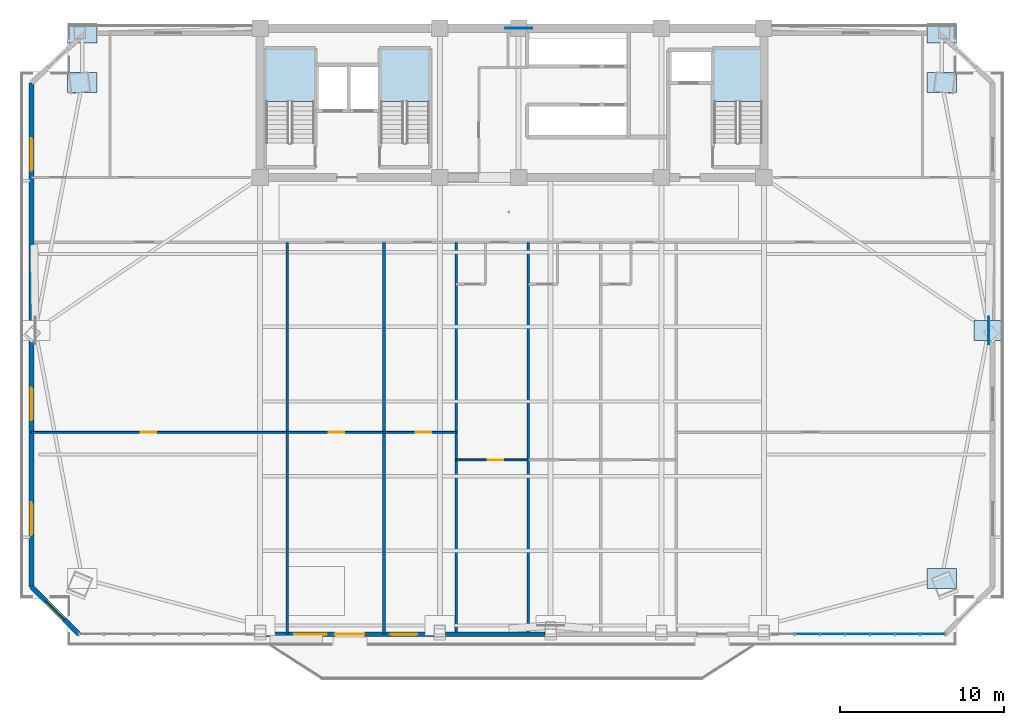
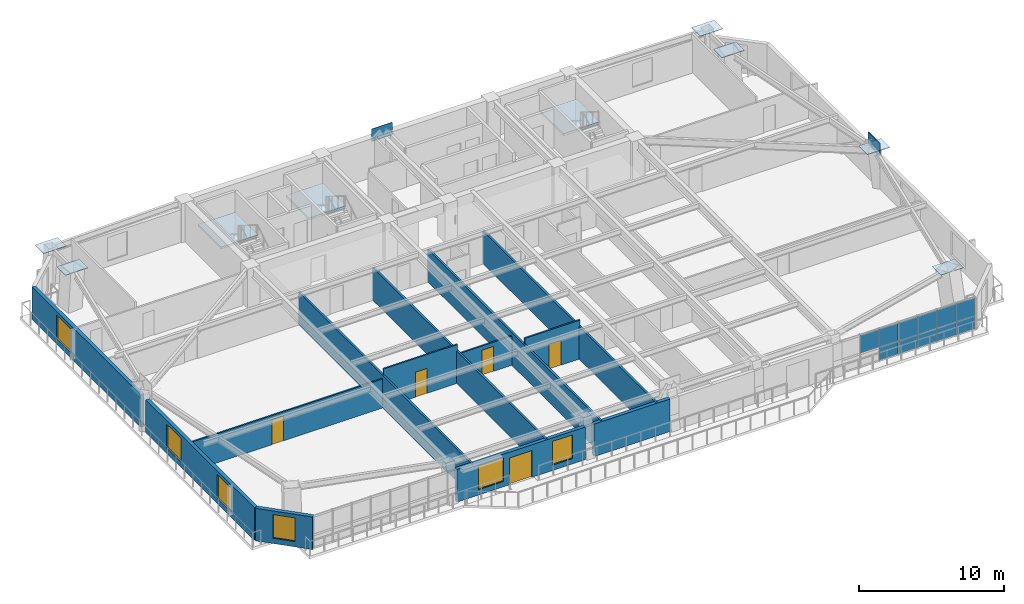
# One storey, part 7 of 15: 19 plates, 13 walls, 6 windows, 5 doors, 3 slabs, 11 openings, 4 elements without a shape of their own.
"""IFC4 building model written with IfcOpenShell, lengths in metres."""

from ifc_helpers import new_model, si_unit, direction, frame, frame_2d, origin, origin_2d, place, context, subcontext, project, spatial, polyline, rectangle, outline, extrude, source, transform, mapped, material, layer, layer_set, type_object, element, fill, aggregate, save


model = new_model("IFC4")

# Units and contexts
model_context = context("Model", 3, precision=1e-05, world=origin(), true_north=direction((0.0, 1.0)))
body_context = subcontext(model_context, "Body", "Model", "MODEL_VIEW")
ifc_project = project(units=[si_unit("LENGTHUNIT", "METRE"), si_unit("AREAUNIT", "SQUARE_METRE"), si_unit("VOLUMEUNIT", "CUBIC_METRE"), si_unit("PLANEANGLEUNIT", "RADIAN"), si_unit("MASSUNIT", "GRAM", prefix="KILO")], contexts=[model_context])

# Site, building, storey
site_placement = place(None, origin())
site = spatial("IfcSite", under=ifc_project, at=site_placement, CompositionType="ELEMENT")
building_placement = place(site_placement, origin())
building = spatial("IfcBuilding", under=site, at=building_placement, Name="Giltprow Tower", CompositionType="ELEMENT")
storey_placement = place(building_placement, frame((0.0, 0.0, 177.199951171875)))
storey = spatial("IfcBuildingStorey", under=building, at=storey_placement, Name="L44", CompositionType="ELEMENT", Elevation=177.199951171875)

# Stair, slab
ifc_material_1 = material(Name="Concrete C40", Category="concrete")
stair_type_1 = type_object("IfcStairType", Name="STR-ST-1", PredefinedType="HALF_TURN_STAIR", material=ifc_material_1)
stair_1_placement = place(storey_placement, origin())
stair_1 = element("IfcStair", 1, at=stair_1_placement, inside=storey, type_object=stair_type_1, Name="L44 Core Exit Stair ST-1", PredefinedType="HALF_TURN_STAIR")
ifc_layer_1 = layer(ifc_material_1, 0.179931640625, Name="Concrete C40")
ifc_layer_set_1 = layer_set([ifc_layer_1], Name="Concrete C40")
slab_type_1 = type_object("IfcSlabType", Name="SLD-ST-1", PredefinedType="LANDING", material=ifc_layer_set_1)
slab_1_placement = place(storey_placement, frame((0.0, 0.0, 1.570068359375)))
slab_1 = element("IfcSlab", 2, at=slab_1_placement, type_object=slab_type_1, Name="ST-1 landing 1", PredefinedType="LANDING", context=body_context, shape_type="SweptSolid", body=[
    extrude(outline(polyline([(23.159912109375, 42.070068359375), (23.159912109375, 45.25), (20.199951171875, 45.25), (20.199951171875, 42.070068359375), (23.159912109375, 42.070068359375)])), origin(), (0.0, 0.0, 1.0), 0.179931640625),
])
aggregate(stair_1, [slab_1])

stair_type_2 = type_object("IfcStairType", Name="STR-ST-2", PredefinedType="HALF_TURN_STAIR", material=ifc_material_1)
stair_2_placement = place(storey_placement, origin())
stair_2 = element("IfcStair", 3, at=stair_2_placement, inside=storey, type_object=stair_type_2, Name="L44 Core Exit Stair ST-2", PredefinedType="HALF_TURN_STAIR")
ifc_layer_2 = layer(ifc_material_1, 0.18798828125, Name="Concrete C40")
ifc_layer_set_2 = layer_set([ifc_layer_2], Name="Concrete C40")
slab_type_2 = type_object("IfcSlabType", Name="SLD-ST-2", PredefinedType="LANDING", material=ifc_layer_set_2)
slab_2_placement = place(storey_placement, frame((0.0, 0.0, 1.56201171875)))
slab_2 = element("IfcSlab", 4, at=slab_2_placement, type_object=slab_type_2, Name="ST-2 landing 1", PredefinedType="LANDING", context=body_context, shape_type="SweptSolid", body=[
    extrude(outline(polyline([(30.159912109375, 42.070068359375), (30.159912109375, 45.25), (27.199951171875, 45.25), (27.199951171875, 42.070068359375), (30.159912109375, 42.070068359375)])), origin(), (0.0, 0.0, 1.0), 0.18798828125),
])
aggregate(stair_2, [slab_2])

stair_type_3 = type_object("IfcStairType", Name="STR-ST-3", PredefinedType="HALF_TURN_STAIR", material=ifc_material_1)
stair_3_placement = place(storey_placement, origin())
stair_3 = element("IfcStair", 5, at=stair_3_placement, inside=storey, type_object=stair_type_3, Name="L44 Core Exit Stair ST-3", PredefinedType="HALF_TURN_STAIR")
ifc_layer_3 = layer(ifc_material_1, 0.196044921875, Name="Concrete C40")
ifc_layer_set_3 = layer_set([ifc_layer_3], Name="Concrete C40")
slab_type_3 = type_object("IfcSlabType", Name="SLD-ST-3", PredefinedType="LANDING", material=ifc_layer_set_3)
slab_3_placement = place(storey_placement, frame((0.0, 0.0, 1.553955078125)))
slab_3 = element("IfcSlab", 6, at=slab_3_placement, type_object=slab_type_3, Name="ST-3 landing 1", PredefinedType="LANDING", context=body_context, shape_type="SweptSolid", body=[
    extrude(outline(polyline([(50.4599609375, 42.070068359375), (50.4599609375, 45.25), (47.5, 45.25), (47.5, 42.070068359375), (50.4599609375, 42.070068359375)])), origin(), (0.0, 0.0, 1.0), 0.196044921875),
])
aggregate(stair_3, [slab_3])

# Plates
ifc_material_2 = material(Name="Structural steel Q420GJC", Category="steel")
plate_type_1 = type_object("IfcPlateType", Name="PLT-NODE-CKN1", PredefinedType="USERDEFINED", material=ifc_material_2)
shared_shape_1 = source(origin(), body_context, "Body", "SweptSolid", [
    extrude(rectangle(XDim=1.800048828125, YDim=1.199951171875, at=origin_2d()), origin(), (0.0, 0.0, 1.0), 0.044921875),
])
for number, where, z_axis, x_axis, name in (
    (7, (61.385986328125, 13.014892578125, 3.2275390625), (0.0, 0.0, 1.0), (1.0, 0.0, 0.0), "CKN1 Column Taper Splice Node L44-MC_SE"),
    (8, (9.014892578125, 43.239013671875, 3.2275390625), (0.0, 0.0, 1.0), (1.0, 0.0, 0.0), "CKN1 Column Taper Splice Node L44-MC_NW"),
    (9, (61.385986328125, 43.239013671875, 3.2275390625), (0.0, 0.0, 1.0), (1.0, 0.0, 0.0), "CKN1 Column Taper Splice Node L44-MC_NE"),
    (10, (64.2470703125, 28.126953125, 3.2275390625), (0.0, 0.0, 1.0), (1.0, 0.0, 0.0), "CKN1 Column Taper Splice Node L44-E_MID"),
    (11, (9.014892578125, 46.25, 3.2275390625), (0.0, 0.0, 1.0), (1.0, 0.0, 0.0), "CKN1 Column Taper Splice Node L44-N_W"),
    (12, (61.385986328125, 46.25, 3.2275390625), (0.0, 0.0, 1.0), (1.0, 0.0, 0.0), "CKN1 Column Taper Splice Node L44-N_E"),
):
    element("IfcPlate", number, at=place(storey_placement, frame(where, z_axis=z_axis, x_axis=x_axis)), inside=storey, type_object=plate_type_1, Name=name, ObjectType="SPLICE", PredefinedType="USERDEFINED", context=body_context, shape_type="MappedRepresentation", body=[
        mapped(shared_shape_1, transform((0.0, 0.0, 0.0), x_axis=(1.0, 0.0, 0.0), y_axis=(0.0, 1.0, 0.0), z_axis=(0.0, 0.0, 1.0), scale=1.0)),
    ])
plate_type_2 = type_object("IfcPlateType", Name="PLT-NODE-MBN2", PredefinedType="USERDEFINED", material=ifc_material_2)
shared_shape_2 = source(origin(), body_context, "Body", "SweptSolid", [
    extrude(rectangle(XDim=1.64990234375, YDim=0.044921875, at=origin_2d()), origin(), (0.0, 0.0, 1.0), 1.050048828125),
])
for number, where, z_axis, x_axis, name in (
    (13, (35.60009765625, 46.550048828125, 2.8349609375), (0.0, 0.0, 1.0), (1.0, 0.0, 0.0), "Mega-Brace Node L44-N-LB"),
    (14, (64.2470703125, 28.126953125, 2.97509765625), (0.0, 0.0, 1.0), (0.0, 1.0, 0.0), "Mega-Brace Node L44-E-RB"),
):
    element("IfcPlate", number, at=place(storey_placement, frame(where, z_axis=z_axis, x_axis=x_axis)), inside=storey, type_object=plate_type_2, Name=name, ObjectType="GUSSET", PredefinedType="USERDEFINED", context=body_context, shape_type="MappedRepresentation", body=[
        mapped(shared_shape_2, transform((0.0, 0.0, 0.0), x_axis=(1.0, 0.0, 0.0), y_axis=(0.0, 1.0, 0.0), z_axis=(0.0, 0.0, 1.0), scale=1.0)),
    ])

# Curtain wall, plates
ifc_material_3 = material(Name="Anodized bronze", Category="metal")
ifc_layer_4 = layer(ifc_material_3, 0.179931640625, Name="Anodized bronze")
ifc_layer_set_4 = layer_set([ifc_layer_4], Name="Anodized bronze")
curtain_wall_type = type_object("IfcCurtainWallType", Name="CW-HTL-BRONZE", PredefinedType="NOTDEFINED", material=ifc_layer_set_4)
curtain_wall_placement = place(storey_placement, origin())
curtain_wall = element("IfcCurtainWall", 15, at=curtain_wall_placement, inside=storey, type_object=curtain_wall_type, Name="L44 South Recessed Curtain Wall 6", PredefinedType="NOTDEFINED")
ifc_material_4 = material(Name="Insulated glass", Category="glass")
plate_type_3 = type_object("IfcPlateType", Name="CW-PANEL-IGU-28", PredefinedType="CURTAIN_PANEL", material=ifc_material_4)
shared_shape_3 = source(origin(), body_context, "Body", "SweptSolid", [
    extrude(rectangle(XDim=1.498046875, YDim=0.028076171875, at=origin_2d()), origin(), (0.0, 0.0, 1.0), 1.0869140625),
])
plate_1_placement = place(storey_placement, frame((54.718994140625, 9.6259765625, 0.0546875), z_axis=(0.0, 0.0, 1.0), x_axis=(1.0, 0.0, 0.0)))
plate_1 = element("IfcPlate", 16, at=plate_1_placement, type_object=plate_type_3, Name="L44 South Recessed Curtain Wall 6 Glazing Panel 3-1", PredefinedType="CURTAIN_PANEL", context=body_context, shape_type="MappedRepresentation", body=[
    mapped(shared_shape_3, transform((0.0, 0.0, 0.0), x_axis=(1.0, 0.0, 0.0), y_axis=(0.0, 1.0, 0.0), z_axis=(0.0, 0.0, 1.0), scale=1.0)),
])
plate_2_placement = place(storey_placement, frame((56.2470703125, 9.6259765625, 0.0546875), z_axis=(0.0, 0.0, 1.0), x_axis=(1.0, 0.0, 0.0)))
plate_2 = element("IfcPlate", 17, at=plate_2_placement, type_object=plate_type_3, Name="L44 South Recessed Curtain Wall 6 Glazing Panel 4-1", PredefinedType="CURTAIN_PANEL", context=body_context, shape_type="MappedRepresentation", body=[
    mapped(shared_shape_3, transform((0.0, 0.0, 0.0), x_axis=(1.0, 0.0, 0.0), y_axis=(0.0, 1.0, 0.0), z_axis=(0.0, 0.0, 1.0), scale=1.0)),
])
plate_3_placement = place(storey_placement, frame((57.77490234375, 9.6259765625, 0.0546875), z_axis=(0.0, 0.0, 1.0), x_axis=(1.0, 0.0, 0.0)))
plate_3 = element("IfcPlate", 18, at=plate_3_placement, type_object=plate_type_3, Name="L44 South Recessed Curtain Wall 6 Glazing Panel 5-1", PredefinedType="CURTAIN_PANEL", context=body_context, shape_type="MappedRepresentation", body=[
    mapped(shared_shape_3, transform((0.0, 0.0, 0.0), x_axis=(1.0, 0.0, 0.0), y_axis=(0.0, 1.0, 0.0), z_axis=(0.0, 0.0, 1.0), scale=1.0)),
])
plate_4_placement = place(storey_placement, frame((59.302001953125, 9.6259765625, 0.0546875), z_axis=(0.0, 0.0, 1.0), x_axis=(1.0, 0.0, 0.0)))
plate_4 = element("IfcPlate", 19, at=plate_4_placement, type_object=plate_type_3, Name="L44 South Recessed Curtain Wall 6 Glazing Panel 6-1", PredefinedType="CURTAIN_PANEL", context=body_context, shape_type="MappedRepresentation", body=[
    mapped(shared_shape_3, transform((0.0, 0.0, 0.0), x_axis=(1.0, 0.0, 0.0), y_axis=(0.0, 1.0, 0.0), z_axis=(0.0, 0.0, 1.0), scale=1.0)),
])
plate_5_placement = place(storey_placement, frame((60.830078125, 9.6259765625, 0.0546875), z_axis=(0.0, 0.0, 1.0), x_axis=(1.0, 0.0, 0.0)))
plate_5 = element("IfcPlate", 20, at=plate_5_placement, type_object=plate_type_3, Name="L44 South Recessed Curtain Wall 6 Glazing Panel 7-1", PredefinedType="CURTAIN_PANEL", context=body_context, shape_type="MappedRepresentation", body=[
    mapped(shared_shape_3, transform((0.0, 0.0, 0.0), x_axis=(1.0, 0.0, 0.0), y_axis=(0.0, 1.0, 0.0), z_axis=(0.0, 0.0, 1.0), scale=1.0)),
])
shared_shape_4 = source(origin(), body_context, "Body", "SweptSolid", [
    extrude(rectangle(XDim=1.498046875, YDim=0.028076171875, at=origin_2d()), origin(), (0.0, 0.0, 1.0), 1.527099609375),
])
plate_6_placement = place(storey_placement, frame((53.19189453125, 9.6259765625, 1.16845703125), z_axis=(0.0, 0.0, 1.0), x_axis=(1.0, 0.0, 0.0)))
plate_6 = element("IfcPlate", 21, at=plate_6_placement, type_object=plate_type_3, Name="L44 South Recessed Curtain Wall 6 Glazing Panel 2-2", PredefinedType="CURTAIN_PANEL", context=body_context, shape_type="MappedRepresentation", body=[
    mapped(shared_shape_4, transform((0.0, 0.0, 0.0), x_axis=(1.0, 0.0, 0.0), y_axis=(0.0, 1.0, 0.0), z_axis=(0.0, 0.0, 1.0), scale=1.0)),
])
plate_7_placement = place(storey_placement, frame((54.718994140625, 9.6259765625, 1.16845703125), z_axis=(0.0, 0.0, 1.0), x_axis=(1.0, 0.0, 0.0)))
plate_7 = element("IfcPlate", 22, at=plate_7_placement, type_object=plate_type_3, Name="L44 South Recessed Curtain Wall 6 Glazing Panel 3-2", PredefinedType="CURTAIN_PANEL", context=body_context, shape_type="MappedRepresentation", body=[
    mapped(shared_shape_4, transform((0.0, 0.0, 0.0), x_axis=(1.0, 0.0, 0.0), y_axis=(0.0, 1.0, 0.0), z_axis=(0.0, 0.0, 1.0), scale=1.0)),
])
plate_8_placement = place(storey_placement, frame((56.2470703125, 9.6259765625, 1.16845703125), z_axis=(0.0, 0.0, 1.0), x_axis=(1.0, 0.0, 0.0)))
plate_8 = element("IfcPlate", 23, at=plate_8_placement, type_object=plate_type_3, Name="L44 South Recessed Curtain Wall 6 Glazing Panel 4-2", PredefinedType="CURTAIN_PANEL", context=body_context, shape_type="MappedRepresentation", body=[
    mapped(shared_shape_4, transform((0.0, 0.0, 0.0), x_axis=(1.0, 0.0, 0.0), y_axis=(0.0, 1.0, 0.0), z_axis=(0.0, 0.0, 1.0), scale=1.0)),
])
plate_9_placement = place(storey_placement, frame((57.77490234375, 9.6259765625, 1.16845703125), z_axis=(0.0, 0.0, 1.0), x_axis=(1.0, 0.0, 0.0)))
plate_9 = element("IfcPlate", 24, at=plate_9_placement, type_object=plate_type_3, Name="L44 South Recessed Curtain Wall 6 Glazing Panel 5-2", PredefinedType="CURTAIN_PANEL", context=body_context, shape_type="MappedRepresentation", body=[
    mapped(shared_shape_4, transform((0.0, 0.0, 0.0), x_axis=(1.0, 0.0, 0.0), y_axis=(0.0, 1.0, 0.0), z_axis=(0.0, 0.0, 1.0), scale=1.0)),
])
plate_10_placement = place(storey_placement, frame((59.302001953125, 9.6259765625, 1.16845703125), z_axis=(0.0, 0.0, 1.0), x_axis=(1.0, 0.0, 0.0)))
plate_10 = element("IfcPlate", 25, at=plate_10_placement, type_object=plate_type_3, Name="L44 South Recessed Curtain Wall 6 Glazing Panel 6-2", PredefinedType="CURTAIN_PANEL", context=body_context, shape_type="MappedRepresentation", body=[
    mapped(shared_shape_4, transform((0.0, 0.0, 0.0), x_axis=(1.0, 0.0, 0.0), y_axis=(0.0, 1.0, 0.0), z_axis=(0.0, 0.0, 1.0), scale=1.0)),
])
plate_11_placement = place(storey_placement, frame((60.830078125, 9.6259765625, 1.16845703125), z_axis=(0.0, 0.0, 1.0), x_axis=(1.0, 0.0, 0.0)))
plate_11 = element("IfcPlate", 26, at=plate_11_placement, type_object=plate_type_3, Name="L44 South Recessed Curtain Wall 6 Glazing Panel 7-2", PredefinedType="CURTAIN_PANEL", context=body_context, shape_type="MappedRepresentation", body=[
    mapped(shared_shape_4, transform((0.0, 0.0, 0.0), x_axis=(1.0, 0.0, 0.0), y_axis=(0.0, 1.0, 0.0), z_axis=(0.0, 0.0, 1.0), scale=1.0)),
])
aggregate(curtain_wall, [plate_6, plate_1, plate_7, plate_2, plate_8, plate_3, plate_9, plate_4, plate_10, plate_5, plate_11])

# Wall, opening, window
ifc_material_5 = material(Name="Precast concrete C40", Category="concrete")
ifc_layer_5 = layer(ifc_material_5, 0.300048828125, Name="Precast concrete C40")
ifc_layer_set_5 = layer_set([ifc_layer_5], Name="Precast concrete C40")
wall_type_1 = type_object("IfcWallType", Name="EW-NOTCH-CHAMFER-300", PredefinedType="SOLIDWALL", material=ifc_layer_set_5)
wall_1_placement = place(storey_placement, frame((5.9189453125, 12.512939453125, 0.0), z_axis=(0.0, 0.0, 1.0), x_axis=(0.707106781187, -0.707106781187, 0.0)))
wall_1 = element("IfcWall", 27, at=wall_1_placement, inside=storey, type_object=wall_type_1, Name="L44 Corner Notch Wall SW", PredefinedType="SOLIDWALL", context=body_context, shape_type="SweptSolid", body=[
    extrude(rectangle(XDim=4.082763671875, YDim=0.300048828125, at=frame_2d((2.04150390625, 0.0))), origin(), (0.0, 0.0, 1.0), 2.75),
])
opening_1_placement = place(wall_1_placement, frame((1.240966796875, 0.0, 0.449951171875)))
opening_1 = element("IfcOpeningElement", 28, at=opening_1_placement, cuts=wall_1, Name="Opening WN17", PredefinedType="OPENING", context=body_context, shape_type="SweptSolid", body=[
    extrude(rectangle(XDim=1.60009765625, YDim=2.0, at=frame_2d((0.800048828125, 1.0))), frame((0.0, 0.159912109375, 0.0), z_axis=(0.0, -1.0, 0.0), x_axis=(1.0, 0.0, 0.0)), (0.0, 0.0, 1.0), 0.320068359375),
])
window_type_1 = type_object("IfcWindowType", Name="WN-COR-1600x2000", PartitioningType="SINGLE_PANEL", PredefinedType="WINDOW", material=ifc_material_4)
shared_shape_5 = source(origin(), body_context, "Body", "SweptSolid", [
    extrude(rectangle(XDim=1.60009765625, YDim=2.0, at=frame_2d((0.800048828125, 1.0))), frame((0.0, 0.030029296875, 0.0), z_axis=(0.0, -1.0, 0.0), x_axis=(1.0, 0.0, 0.0)), (0.0, 0.0, 1.0), 0.06005859375),
])
window_1_placement = place(opening_1_placement, origin())
window_1 = element("IfcWindow", 29, at=window_1_placement, inside=storey, type_object=window_type_1, Name="L44 Corner Notch Window SW", OverallHeight=2.0, OverallWidth=1.60009765625, PartitioningType="SINGLE_PANEL", PredefinedType="WINDOW", context=body_context, shape_type="MappedRepresentation", body=[
    mapped(shared_shape_5, transform((0.0, 0.0, 0.0), x_axis=(1.0, 0.0, 0.0), y_axis=(0.0, 1.0, 0.0), z_axis=(0.0, 0.0, 1.0), scale=1.0)),
])
fill(opening_1, window_1)

# Wall, openings, windows, door
ifc_layer_6 = layer(ifc_material_5, 0.280029296875, Name="Precast concrete C40")
ifc_layer_set_6 = layer_set([ifc_layer_6], Name="Precast concrete C40")
wall_type_2 = type_object("IfcWallType", Name="EW-TOW-BRONZE-280", PredefinedType="SOLIDWALL", material=ifc_layer_set_6)
wall_2_placement = place(storey_placement, frame((20.199951171875, 9.6259765625, 0.0), z_axis=(0.0, 0.0, 1.0), x_axis=(1.0, 0.0, 0.0)))
wall_2 = element("IfcWall", 30, at=wall_2_placement, inside=storey, type_object=wall_type_2, Name="L44 South Expressed Frame Wall 2", PredefinedType="SOLIDWALL", context=body_context, shape_type="SweptSolid", body=[
    extrude(rectangle(XDim=10.25, YDim=0.280029296875, at=frame_2d((5.125, 0.0))), origin(), (0.0, 0.0, 1.0), 2.75),
])
opening_2_placement = place(wall_2_placement, frame((4.199951171875, 0.0, 0.0)))
opening_2 = element("IfcOpeningElement", 31, at=opening_2_placement, cuts=wall_2, Name="Opening ED25", PredefinedType="OPENING", context=body_context, shape_type="SweptSolid", body=[
    extrude(rectangle(XDim=1.800048828125, YDim=2.25, at=frame_2d((0.89990234375, 1.125))), frame((0.0, 0.14990234375, 0.0), z_axis=(0.0, -1.0, 0.0), x_axis=(1.0, 0.0, 0.0)), (0.0, 0.0, 1.0), 0.300048828125),
])
opening_3_placement = place(wall_2_placement, frame((1.719970703125, 0.0, 0.449951171875)))
opening_3 = element("IfcOpeningElement", 32, at=opening_3_placement, cuts=wall_2, Name="Opening WN21", PredefinedType="OPENING", context=body_context, shape_type="SweptSolid", body=[
    extrude(rectangle(XDim=2.0, YDim=2.0, at=frame_2d((1.0, 1.0))), frame((0.0, 0.14990234375, 0.0), z_axis=(0.0, -1.0, 0.0), x_axis=(1.0, 0.0, 0.0)), (0.0, 0.0, 1.0), 0.300048828125),
])
opening_4_placement = place(wall_2_placement, frame((7.6201171875, 0.0, 0.449951171875)))
opening_4 = element("IfcOpeningElement", 33, at=opening_4_placement, cuts=wall_2, Name="Opening WN17", PredefinedType="OPENING", context=body_context, shape_type="SweptSolid", body=[
    extrude(rectangle(XDim=1.60009765625, YDim=2.0, at=frame_2d((0.800048828125, 1.0))), frame((0.0, 0.14990234375, 0.0), z_axis=(0.0, -1.0, 0.0), x_axis=(1.0, 0.0, 0.0)), (0.0, 0.0, 1.0), 0.300048828125),
])
window_2_placement = place(opening_4_placement, origin())
window_2 = element("IfcWindow", 34, at=window_2_placement, inside=storey, type_object=window_type_1, Name="L44 South Window 2B", OverallHeight=2.0, OverallWidth=1.60009765625, PartitioningType="SINGLE_PANEL", PredefinedType="WINDOW", context=body_context, shape_type="MappedRepresentation", body=[
    mapped(shared_shape_5, transform((0.0, 0.0, 0.0), x_axis=(1.0, 0.0, 0.0), y_axis=(0.0, 1.0, 0.0), z_axis=(0.0, 0.0, 1.0), scale=1.0)),
])
fill(opening_4, window_2)
ifc_material_6 = material(Name="Anodized bronze and glass", Category="glass")
door_type_1 = type_object("IfcDoorType", Name="DR-BALC-SLIDE-1800", OperationType="SLIDING_TO_LEFT", PredefinedType="DOOR", material=ifc_material_6)
shared_shape_6 = source(origin(), body_context, "Body", "SweptSolid", [
    extrude(rectangle(XDim=1.800048828125, YDim=2.25, at=frame_2d((0.89990234375, 1.125))), frame((0.0, 0.02490234375, 0.0), z_axis=(0.0, -1.0, 0.0), x_axis=(1.0, 0.0, 0.0)), (0.0, 0.0, 1.0), 0.050048828125),
])
door_1_placement = place(opening_2_placement, origin())
door_1 = element("IfcDoor", 35, at=door_1_placement, inside=storey, type_object=door_type_1, Name="L44 Waterfront Balcony Sliding Door 1", OperationType="SLIDING_TO_LEFT", OverallHeight=2.25, OverallWidth=1.800048828125, PredefinedType="DOOR", context=body_context, shape_type="MappedRepresentation", body=[
    mapped(shared_shape_6, transform((0.0, 0.0, 0.0), x_axis=(1.0, 0.0, 0.0), y_axis=(0.0, 1.0, 0.0), z_axis=(0.0, 0.0, 1.0), scale=1.0)),
])
fill(opening_2, door_1)
window_type_2 = type_object("IfcWindowType", Name="WN-HTL-2000x2000", PartitioningType="DOUBLE_PANEL_VERTICAL", PredefinedType="WINDOW", material=ifc_material_4)
shared_shape_7 = source(origin(), body_context, "Body", "SweptSolid", [
    extrude(rectangle(XDim=2.0, YDim=2.0, at=frame_2d((1.0, 1.0))), frame((0.0, 0.030029296875, 0.0), z_axis=(0.0, -1.0, 0.0), x_axis=(1.0, 0.0, 0.0)), (0.0, 0.0, 1.0), 0.06005859375),
])
window_3_placement = place(opening_3_placement, origin())
window_3 = element("IfcWindow", 36, at=window_3_placement, inside=storey, type_object=window_type_2, Name="L44 South Window 2A", OverallHeight=2.0, OverallWidth=2.0, PartitioningType="SINGLE_PANEL", PredefinedType="WINDOW", context=body_context, shape_type="MappedRepresentation", body=[
    mapped(shared_shape_7, transform((0.0, 0.0, 0.0), x_axis=(1.0, 0.0, 0.0), y_axis=(0.0, 1.0, 0.0), z_axis=(0.0, 0.0, 1.0), scale=1.0)),
])
fill(opening_3, window_3)

# Wall
wall_3_placement = place(storey_placement, frame((31.14990234375, 9.6259765625, 0.0), z_axis=(0.0, 0.0, 1.0), x_axis=(1.0, 0.0, 0.0)))
element("IfcWall", 37, at=wall_3_placement, inside=storey, type_object=wall_type_2, Name="L44 South Expressed Frame Wall 3", PredefinedType="SOLIDWALL", context=body_context, shape_type="SweptSolid", body=[
    extrude(rectangle(XDim=6.050048828125, YDim=0.280029296875, at=frame_2d((3.02490234375, 0.0))), origin(), (0.0, 0.0, 1.0), 2.75),
])

# Wall, openings, windows
wall_4_placement = place(storey_placement, frame((5.9189453125, 12.512939453125, 0.0), z_axis=(0.0, 0.0, 1.0), x_axis=(0.0, 1.0, 0.0)))
wall_4 = element("IfcWall", 38, at=wall_4_placement, inside=storey, type_object=wall_type_2, Name="L44 W Wing Masonry Wall 1", PredefinedType="SOLIDWALL", context=body_context, shape_type="SweptSolid", body=[
    extrude(rectangle(XDim=15.0, YDim=0.280029296875, at=frame_2d((7.5, 0.0))), origin(), (0.0, 0.0, 1.0), 2.75),
])
opening_5_placement = place(wall_4_placement, frame((3.139892578125, 0.0, 0.449951171875)))
opening_5 = element("IfcOpeningElement", 39, at=opening_5_placement, cuts=wall_4, Name="Opening WN21", PredefinedType="OPENING", context=body_context, shape_type="SweptSolid", body=[
    extrude(rectangle(XDim=2.0, YDim=2.0, at=frame_2d((1.0, 1.0))), frame((0.0, 0.14990234375, 0.0), z_axis=(0.0, -1.0, 0.0), x_axis=(1.0, 0.0, 0.0)), (0.0, 0.0, 1.0), 0.300048828125),
])
opening_6_placement = place(wall_4_placement, frame((10.139892578125, 0.0, 0.449951171875)))
opening_6 = element("IfcOpeningElement", 40, at=opening_6_placement, cuts=wall_4, Name="Opening WN21", PredefinedType="OPENING", context=body_context, shape_type="SweptSolid", body=[
    extrude(rectangle(XDim=2.0, YDim=2.0, at=frame_2d((1.0, 1.0))), frame((0.0, 0.14990234375, 0.0), z_axis=(0.0, -1.0, 0.0), x_axis=(1.0, 0.0, 0.0)), (0.0, 0.0, 1.0), 0.300048828125),
])
window_4_placement = place(opening_5_placement, origin())
window_4 = element("IfcWindow", 41, at=window_4_placement, inside=storey, type_object=window_type_2, Name="L44 W Wing Window 1-1A", OverallHeight=2.0, OverallWidth=2.0, PartitioningType="SINGLE_PANEL", PredefinedType="WINDOW", context=body_context, shape_type="MappedRepresentation", body=[
    mapped(shared_shape_7, transform((0.0, 0.0, 0.0), x_axis=(1.0, 0.0, 0.0), y_axis=(0.0, 1.0, 0.0), z_axis=(0.0, 0.0, 1.0), scale=1.0)),
])
fill(opening_5, window_4)
window_5_placement = place(opening_6_placement, origin())
window_5 = element("IfcWindow", 42, at=window_5_placement, inside=storey, type_object=window_type_2, Name="L44 W Wing Window 1-1B", OverallHeight=2.0, OverallWidth=2.0, PartitioningType="SINGLE_PANEL", PredefinedType="WINDOW", context=body_context, shape_type="MappedRepresentation", body=[
    mapped(shared_shape_7, transform((0.0, 0.0, 0.0), x_axis=(1.0, 0.0, 0.0), y_axis=(0.0, 1.0, 0.0), z_axis=(0.0, 0.0, 1.0), scale=1.0)),
])
fill(opening_6, window_5)

# Wall, opening, window
wall_5_placement = place(storey_placement, frame((5.9189453125, 28.212890625, 0.0), z_axis=(0.0, 0.0, 1.0), x_axis=(0.0, 1.0, 0.0)))
wall_5 = element("IfcWall", 43, at=wall_5_placement, inside=storey, type_object=wall_type_2, Name="L44 W Wing Masonry Wall 2", PredefinedType="SOLIDWALL", context=body_context, shape_type="SweptSolid", body=[
    extrude(rectangle(XDim=15.0, YDim=0.280029296875, at=frame_2d((7.5, 0.0))), origin(), (0.0, 0.0, 1.0), 2.75),
])
opening_7_placement = place(wall_5_placement, frame((9.64208984375, 0.0, 0.449951171875)))
opening_7 = element("IfcOpeningElement", 44, at=opening_7_placement, cuts=wall_5, Name="Opening WN21", PredefinedType="OPENING", context=body_context, shape_type="SweptSolid", body=[
    extrude(rectangle(XDim=2.0, YDim=2.0, at=frame_2d((1.0, 1.0))), frame((0.0, 0.14990234375, 0.0), z_axis=(0.0, -1.0, 0.0), x_axis=(1.0, 0.0, 0.0)), (0.0, 0.0, 1.0), 0.300048828125),
])
window_6_placement = place(opening_7_placement, origin())
window_6 = element("IfcWindow", 45, at=window_6_placement, inside=storey, type_object=window_type_2, Name="L44 W Wing Window 2-1", OverallHeight=2.0, OverallWidth=2.0, PartitioningType="SINGLE_PANEL", PredefinedType="WINDOW", context=body_context, shape_type="MappedRepresentation", body=[
    mapped(shared_shape_7, transform((0.0, 0.0, 0.0), x_axis=(1.0, 0.0, 0.0), y_axis=(0.0, 1.0, 0.0), z_axis=(0.0, 0.0, 1.0), scale=1.0)),
])
fill(opening_7, window_6)

# Walls
ifc_material_7 = material(Name="Gypsum stud partition", Category="gypsum")
ifc_layer_7 = layer(ifc_material_7, 0.159912109375, Name="Gypsum stud partition")
ifc_layer_set_7 = layer_set([ifc_layer_7], Name="Gypsum stud partition")
wall_type_3 = type_object("IfcWallType", Name="IW-DEMISE-160", PredefinedType="PARTITIONING", material=ifc_layer_set_7)
for number, where, z_axis, x_axis, name in (
    (46, (21.5, 9.6259765625, 0.0), (0.0, 0.0, 1.0), (0.0, 1.0, 0.0), "L44 Hotel Demising Wall 1"),
    (47, (27.39990234375, 9.6259765625, 0.0), (0.0, 0.0, 1.0), (0.0, 1.0, 0.0), "L44 Hotel Demising Wall 2"),
    (48, (31.800048828125, 9.6259765625, 0.0), (0.0, 0.0, 1.0), (0.0, 1.0, 0.0), "L44 Hotel Demising Wall 3"),
    (49, (36.199951171875, 9.6259765625, 0.0), (0.0, 0.0, 1.0), (0.0, 1.0, 0.0), "L44 Hotel Demising Wall 4"),
):
    element("IfcWall", number, at=place(storey_placement, frame(where, z_axis=z_axis, x_axis=x_axis)), inside=storey, type_object=wall_type_3, Name=name, PredefinedType="PARTITIONING", context=body_context, shape_type="SweptSolid", body=[
        extrude(rectangle(XDim=23.8740234375, YDim=0.159912109375, at=frame_2d((11.93701171875, 0.0))), origin(), (0.0, 0.0, 1.0), 2.755126953125),
    ])

# Wall, opening, door
ifc_layer_8 = layer(ifc_material_7, 0.1201171875, Name="Gypsum stud partition")
ifc_layer_set_8 = layer_set([ifc_layer_8], Name="Gypsum stud partition")
wall_type_4 = type_object("IfcWallType", Name="IW-ROOM-120", PredefinedType="PARTITIONING", material=ifc_layer_set_8)
wall_6_placement = place(storey_placement, frame((5.9189453125, 21.927001953125, 0.0), z_axis=(0.0, 0.0, 1.0), x_axis=(1.0, 0.0, 0.0)))
wall_6 = element("IfcWall", 50, at=wall_6_placement, inside=storey, type_object=wall_type_4, Name="L44 Amenity Mid Wall 1", PredefinedType="PARTITIONING", context=body_context, shape_type="SweptSolid", body=[
    extrude(rectangle(XDim=15.5810546875, YDim=0.1201171875, at=frame_2d((7.79052734375, 0.0))), origin(), (0.0, 0.0, 1.0), 2.455078125),
])
opening_8_placement = place(wall_6_placement, frame((6.658935546875, 0.0, 0.0)))
opening_8 = element("IfcOpeningElement", 51, at=opening_8_placement, cuts=wall_6, Name="Opening ID11", PredefinedType="OPENING", context=body_context, shape_type="SweptSolid", body=[
    extrude(rectangle(XDim=0.949951171875, YDim=2.10009765625, at=frame_2d((0.47509765625, 1.050048828125))), frame((0.0, 0.070068359375, 0.0), z_axis=(0.0, -1.0, 0.0), x_axis=(1.0, 0.0, 0.0)), (0.0, 0.0, 1.0), 0.14013671875),
])
ifc_material_8 = material(Name="Engineered timber", Category="wood")
door_type_2 = type_object("IfcDoorType", Name="DR-ROOM-950", OperationType="SINGLE_SWING_RIGHT", PredefinedType="DOOR", material=ifc_material_8)
shared_shape_8 = source(origin(), body_context, "Body", "SweptSolid", [
    extrude(rectangle(XDim=0.949951171875, YDim=2.10009765625, at=frame_2d((0.47509765625, 1.050048828125))), frame((0.0, 0.02490234375, 0.0), z_axis=(0.0, -1.0, 0.0), x_axis=(1.0, 0.0, 0.0)), (0.0, 0.0, 1.0), 0.050048828125),
])
door_2_placement = place(opening_8_placement, origin())
door_2 = element("IfcDoor", 52, at=door_2_placement, inside=storey, type_object=door_type_2, Name="L44 Diplomatic Meeting Room 1 Inner Door", OperationType="SINGLE_SWING_LEFT", OverallHeight=2.10009765625, OverallWidth=0.949951171875, PredefinedType="DOOR", context=body_context, shape_type="MappedRepresentation", body=[
    mapped(shared_shape_8, transform((0.0, 0.0, 0.0), x_axis=(1.0, 0.0, 0.0), y_axis=(0.0, 1.0, 0.0), z_axis=(0.0, 0.0, 1.0), scale=1.0)),
])
fill(opening_8, door_2)

wall_7_placement = place(storey_placement, frame((21.5, 21.927001953125, 0.0), z_axis=(0.0, 0.0, 1.0), x_axis=(1.0, 0.0, 0.0)))
wall_7 = element("IfcWall", 53, at=wall_7_placement, inside=storey, type_object=wall_type_4, Name="L44 Amenity Mid Wall 2", PredefinedType="PARTITIONING", context=body_context, shape_type="SweptSolid", body=[
    extrude(rectangle(XDim=5.89990234375, YDim=0.1201171875, at=frame_2d((2.949951171875, 0.0))), origin(), (0.0, 0.0, 1.0), 3.27001953125),
])
opening_9_placement = place(wall_7_placement, frame((2.52587890625, 0.0, 0.0)))
opening_9 = element("IfcOpeningElement", 54, at=opening_9_placement, cuts=wall_7, Name="Opening ID11", PredefinedType="OPENING", context=body_context, shape_type="SweptSolid", body=[
    extrude(rectangle(XDim=0.949951171875, YDim=2.10009765625, at=frame_2d((0.47509765625, 1.050048828125))), frame((0.0, 0.070068359375, 0.0), z_axis=(0.0, -1.0, 0.0), x_axis=(1.0, 0.0, 0.0)), (0.0, 0.0, 1.0), 0.14013671875),
])
door_3_placement = place(opening_9_placement, origin())
door_3 = element("IfcDoor", 55, at=door_3_placement, inside=storey, type_object=door_type_2, Name="L44 Boardroom Meeting Room 2 Inner Door", OperationType="SINGLE_SWING_LEFT", OverallHeight=2.10009765625, OverallWidth=0.949951171875, PredefinedType="DOOR", context=body_context, shape_type="MappedRepresentation", body=[
    mapped(shared_shape_8, transform((0.0, 0.0, 0.0), x_axis=(1.0, 0.0, 0.0), y_axis=(0.0, 1.0, 0.0), z_axis=(0.0, 0.0, 1.0), scale=1.0)),
])
fill(opening_9, door_3)

wall_8_placement = place(storey_placement, frame((27.39990234375, 21.927001953125, 0.0), z_axis=(0.0, 0.0, 1.0), x_axis=(1.0, 0.0, 0.0)))
wall_8 = element("IfcWall", 56, at=wall_8_placement, inside=storey, type_object=wall_type_4, Name="L44 Amenity Mid Wall 3", PredefinedType="PARTITIONING", context=body_context, shape_type="SweptSolid", body=[
    extrude(rectangle(XDim=4.400146484375, YDim=0.1201171875, at=frame_2d((2.2001953125, 0.0))), origin(), (0.0, 0.0, 1.0), 2.455078125),
])
opening_10_placement = place(wall_8_placement, frame((1.926025390625, 0.0, 0.0)))
opening_10 = element("IfcOpeningElement", 57, at=opening_10_placement, cuts=wall_8, Name="Opening ID11", PredefinedType="OPENING", context=body_context, shape_type="SweptSolid", body=[
    extrude(rectangle(XDim=0.949951171875, YDim=2.10009765625, at=frame_2d((0.47509765625, 1.050048828125))), frame((0.0, 0.070068359375, 0.0), z_axis=(0.0, -1.0, 0.0), x_axis=(1.0, 0.0, 0.0)), (0.0, 0.0, 1.0), 0.14013671875),
])
door_4_placement = place(opening_10_placement, origin())
door_4 = element("IfcDoor", 58, at=door_4_placement, inside=storey, type_object=door_type_2, Name="L44 Seminar Meeting Room 3 Inner Door", OperationType="SINGLE_SWING_LEFT", OverallHeight=2.10009765625, OverallWidth=0.949951171875, PredefinedType="DOOR", context=body_context, shape_type="MappedRepresentation", body=[
    mapped(shared_shape_8, transform((0.0, 0.0, 0.0), x_axis=(1.0, 0.0, 0.0), y_axis=(0.0, 1.0, 0.0), z_axis=(0.0, 0.0, 1.0), scale=1.0)),
])
fill(opening_10, door_4)

wall_9_placement = place(storey_placement, frame((31.800048828125, 20.239990234375, 0.0), z_axis=(0.0, 0.0, 1.0), x_axis=(1.0, 0.0, 0.0)))
wall_9 = element("IfcWall", 59, at=wall_9_placement, inside=storey, type_object=wall_type_4, Name="L44 Suite Parlour Divider 4", PredefinedType="PARTITIONING", context=body_context, shape_type="SweptSolid", body=[
    extrude(rectangle(XDim=4.39990234375, YDim=0.1201171875, at=frame_2d((2.199951171875, 0.0))), origin(), (0.0, 0.0, 1.0), 3.27001953125),
])
opening_11_placement = place(wall_9_placement, frame((1.925048828125, 0.0, 0.0)))
opening_11 = element("IfcOpeningElement", 60, at=opening_11_placement, cuts=wall_9, Name="Opening ID11", PredefinedType="OPENING", context=body_context, shape_type="SweptSolid", body=[
    extrude(rectangle(XDim=0.949951171875, YDim=2.10009765625, at=frame_2d((0.47509765625, 1.050048828125))), frame((0.0, 0.070068359375, 0.0), z_axis=(0.0, -1.0, 0.0), x_axis=(1.0, 0.0, 0.0)), (0.0, 0.0, 1.0), 0.14013671875),
])
door_5_placement = place(opening_11_placement, origin())
door_5 = element("IfcDoor", 61, at=door_5_placement, inside=storey, type_object=door_type_2, Name="L44 Harbour Parlour 4 Door", OperationType="SINGLE_SWING_RIGHT", OverallHeight=2.10009765625, OverallWidth=0.949951171875, PredefinedType="DOOR", context=body_context, shape_type="MappedRepresentation", body=[
    mapped(shared_shape_8, transform((0.0, 0.0, 0.0), x_axis=(1.0, 0.0, 0.0), y_axis=(0.0, 1.0, 0.0), z_axis=(0.0, 0.0, 1.0), scale=1.0)),
])
fill(opening_11, door_5)

save(model, "model.ifc")
